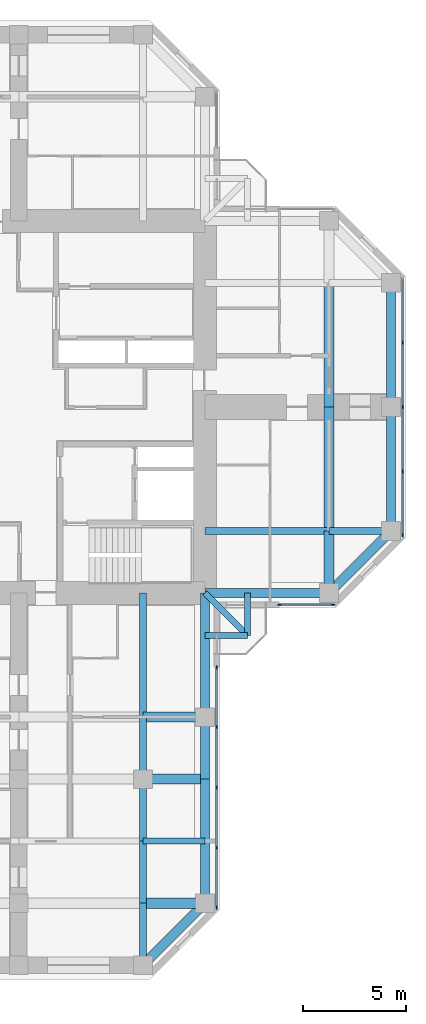
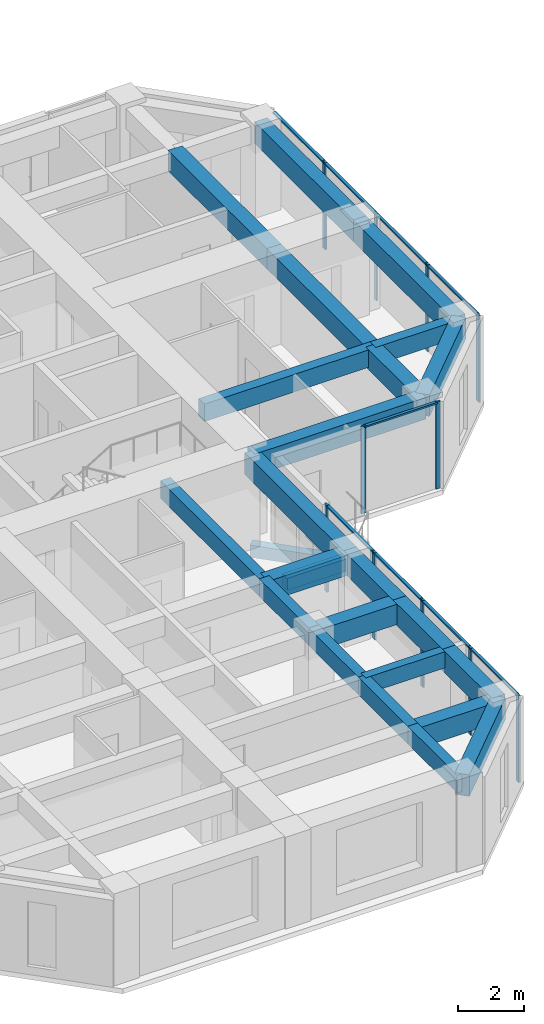
# One storey, part 4 of 14: 26 beams, 20 members, 3 elements without a shape of their own.
"""IFC4 building model written with IfcOpenShell, lengths in metres."""

from ifc_helpers import new_model, si_unit, direction, frame, origin, origin_2d, place, context, subcontext, project, spatial, rectangle, extrude, material, material_profile, profile_set, type_object, element, aggregate, save


model = new_model("IFC4")

# Units and contexts
model_context = context("Model", 3, precision=1e-05, world=origin(), true_north=direction((0.0, 1.0)))
body_context = subcontext(model_context, "Body", "Model", "MODEL_VIEW")
ifc_project = project(units=[si_unit("LENGTHUNIT", "METRE"), si_unit("AREAUNIT", "SQUARE_METRE"), si_unit("VOLUMEUNIT", "CUBIC_METRE"), si_unit("PLANEANGLEUNIT", "RADIAN"), si_unit("MASSUNIT", "GRAM", prefix="KILO")], contexts=[model_context])

# Site, building, storey
site_placement = place(None, origin())
site = spatial("IfcSite", under=ifc_project, at=site_placement, CompositionType="ELEMENT")
building_placement = place(site_placement, origin())
building = spatial("IfcBuilding", under=site, at=building_placement, Name="Torre Cruceta", CompositionType="ELEMENT")
storey_placement = place(building_placement, frame((0.0, 0.0, 186.5)))
storey = spatial("IfcBuildingStorey", under=building, at=storey_placement, Name="L46", CompositionType="ELEMENT", Elevation=186.5)

# Beams
ifc_material_1 = material(Name="Concrete G60 (fck 60 MPa)", Category="concrete")
ifc_material_profile_1 = material_profile(ifc_material_1, rectangle(XDim=0.300048828125, YDim=0.449951171875, at=origin_2d()), Name="RC 300X450")
ifc_profile_set_1 = profile_set([ifc_material_profile_1], Name="Concrete G60 (fck 60 MPa)")
beam_type_1 = type_object("IfcBeamType", Name="BALCONY CANTILEVER BEAM RC 300X450", PredefinedType="BEAM", material=ifc_profile_set_1)
beam_1_placement = place(storey_placement, frame((9.0, -9.0, -0.405029296875), z_axis=(0.707106781187, -0.707106781187, 0.0), x_axis=(0.707106781187, 0.707106781187, 0.0)))
element("IfcBeam", 1, at=beam_1_placement, inside=storey, type_object=beam_type_1, Name="BB1 balcony beam L46 S", PredefinedType="BEAM", context=body_context, shape_type="SweptSolid", body=[
    extrude(rectangle(XDim=0.300048828125, YDim=0.449951171875, at=origin_2d()), origin(), (0.0, 0.0, 1.0), 2.89990234375),
])
for number, where, z_axis, x_axis, name in (
    (2, (11.050537109375, -9.0, -0.405029296875), (0.0, -1.0, 0.0), (1.0, 0.0, 0.0), "BB1 balcony edge beam L46 S-X"),
    (3, (9.0, -11.050537109375, -0.405029296875), (1.0, 0.0, 0.0), (0.0, 1.0, 0.0), "BB1 balcony edge beam L46 S-Y"),
):
    element("IfcBeam", number, at=place(storey_placement, frame(where, z_axis=z_axis, x_axis=x_axis)), inside=storey, type_object=beam_type_1, Name=name, PredefinedType="BEAM", context=body_context, shape_type="SweptSolid", body=[
        extrude(rectangle(XDim=0.300048828125, YDim=0.449951171875, at=origin_2d()), origin(), (0.0, 0.0, 1.0), 2.050537109375),
    ])
ifc_material_2 = material(Name="Concrete G60 (fck 60 MPa)", Category="concrete")
ifc_material_profile_2 = material_profile(ifc_material_2, rectangle(XDim=0.35009765625, YDim=0.64990234375, at=origin_2d()), Name="RC 350X650")
ifc_profile_set_2 = profile_set([ifc_material_profile_2], Name="Concrete G60 (fck 60 MPa)")
beam_type_2 = type_object("IfcBeamType", Name="COLUMN LINE BEAM RC 350X650", PredefinedType="BEAM", material=ifc_profile_set_2)
beam_2_placement = place(storey_placement, frame((9.0, -6.0, 2.89501953125), z_axis=(1.0, 0.0, 0.0), x_axis=(0.0, 1.0, 0.0)))
element("IfcBeam", 4, at=beam_2_placement, inside=storey, type_object=beam_type_2, Name="LB7 L46 E col- 1", PredefinedType="BEAM", context=body_context, shape_type="SweptSolid", body=[
    extrude(rectangle(XDim=0.35009765625, YDim=0.64990234375, at=origin_2d()), origin(), (0.0, 0.0, 1.0), 6.0),
])
beam_3_placement = place(storey_placement, frame((15.0, -6.0, 2.89501953125), z_axis=(1.0, 0.0, 0.0), x_axis=(0.0, 1.0, 0.0)))
element("IfcBeam", 5, at=beam_3_placement, inside=storey, type_object=beam_type_2, Name="LB7 L46 E col- 2", PredefinedType="BEAM", context=body_context, shape_type="SweptSolid", body=[
    extrude(rectangle(XDim=0.35009765625, YDim=0.64990234375, at=origin_2d()), origin(), (0.0, 0.0, 1.0), 3.0),
])
beam_4_placement = place(storey_placement, frame((6.0, -9.0, 2.89501953125), z_axis=(0.0, -1.0, 0.0), x_axis=(1.0, 0.0, 0.0)))
element("IfcBeam", 6, at=beam_4_placement, inside=storey, type_object=beam_type_2, Name="LB7 L46 S col+ 1", PredefinedType="BEAM", context=body_context, shape_type="SweptSolid", body=[
    extrude(rectangle(XDim=0.35009765625, YDim=0.64990234375, at=origin_2d()), origin(), (0.0, 0.0, 1.0), 6.0),
])
for number, where, z_axis, x_axis, name in (
    (7, (6.0, -15.0, 2.89501953125), (0.0, -1.0, 0.0), (1.0, 0.0, 0.0), "LB7 L46 S col+ 2"),
    (8, (6.0, -18.0, 2.89501953125), (0.0, -1.0, 0.0), (1.0, 0.0, 0.0), "LB7 L46 S col+ 3"),
    (9, (6.0, -21.0, 2.89501953125), (0.0, -1.0, 0.0), (1.0, 0.0, 0.0), "LB7 L46 S col+ 4"),
    (10, (6.0, -24.0, 2.89501953125), (0.0, -1.0, 0.0), (1.0, 0.0, 0.0), "LB7 L46 S col+ 5"),
):
    element("IfcBeam", number, at=place(storey_placement, frame(where, z_axis=z_axis, x_axis=x_axis)), inside=storey, type_object=beam_type_2, Name=name, PredefinedType="BEAM", context=body_context, shape_type="SweptSolid", body=[
        extrude(rectangle(XDim=0.35009765625, YDim=0.64990234375, at=origin_2d()), origin(), (0.0, 0.0, 1.0), 3.0),
    ])
ifc_material_3 = material(Name="Concrete G60 (fck 60 MPa)", Category="concrete")
ifc_material_profile_3 = material_profile(ifc_material_3, rectangle(XDim=0.5, YDim=0.75, at=origin_2d()), Name="RC 500X750")
ifc_profile_set_3 = profile_set([ifc_material_profile_3], Name="Concrete G60 (fck 60 MPa)")
beam_type_3 = type_object("IfcBeamType", Name="CROSS BEAM RC 500X750", PredefinedType="BEAM", material=ifc_profile_set_3)
beam_5_placement = place(storey_placement, frame((15.0, -9.0, 2.844970703125), z_axis=(0.0, 1.0, 0.0), x_axis=(-1.0, 0.0, 0.0)))
element("IfcBeam", 11, at=beam_5_placement, inside=storey, type_object=beam_type_3, Name="GB6 L46 E cross15 1", PredefinedType="BEAM", context=body_context, shape_type="SweptSolid", body=[
    extrude(rectangle(XDim=0.5, YDim=0.75, at=origin_2d()), origin(), (0.0, 0.0, 1.0), 3.0),
])
for number, where, z_axis, x_axis, name in (
    (12, (15.0, -6.0, 2.844970703125), (0.0, 1.0, 0.0), (-1.0, 0.0, 0.0), "GB6 L46 E cross15 2"),
    (13, (15.0, 0.0, 2.844970703125), (0.0, 1.0, 0.0), (-1.0, 0.0, 0.0), "GB6 L46 E cross15 3"),
):
    element("IfcBeam", number, at=place(storey_placement, frame(where, z_axis=z_axis, x_axis=x_axis)), inside=storey, type_object=beam_type_3, Name=name, PredefinedType="BEAM", context=body_context, shape_type="SweptSolid", body=[
        extrude(rectangle(XDim=0.5, YDim=0.75, at=origin_2d()), origin(), (0.0, 0.0, 1.0), 6.0),
    ])
for number, where, z_axis, x_axis, name in (
    (14, (6.0, -15.0, 2.844970703125), (1.0, 0.0, 0.0), (0.0, 1.0, 0.0), "GB6 L46 S cross15 4"),
    (15, (6.0, -18.0, 2.844970703125), (1.0, 0.0, 0.0), (0.0, 1.0, 0.0), "GB6 L46 S cross18 4"),
    (16, (6.0, -24.0, 2.844970703125), (1.0, 0.0, 0.0), (0.0, 1.0, 0.0), "GB6 L46 S cross24 4"),
):
    element("IfcBeam", number, at=place(storey_placement, frame(where, z_axis=z_axis, x_axis=x_axis)), inside=storey, type_object=beam_type_3, Name=name, PredefinedType="BEAM", context=body_context, shape_type="SweptSolid", body=[
        extrude(rectangle(XDim=0.5, YDim=0.75, at=origin_2d()), origin(), (0.0, 0.0, 1.0), 3.0),
    ])

# Curtain wall, members
ifc_material_4 = material(Name="Aluminium unitised curtain wall", Category="aluminium")
curtain_wall_type = type_object("IfcCurtainWallType", Name="CURTAIN WALL CW-C CO-LIVING", PredefinedType="USERDEFINED", material=ifc_material_4)
curtain_wall_1_placement = place(storey_placement, origin())
curtain_wall_1 = element("IfcCurtainWall", 17, at=curtain_wall_1_placement, inside=storey, type_object=curtain_wall_type, Name="CW-C L46 E side 00", ObjectType="UNITISED", PredefinedType="USERDEFINED")
ifc_material_5 = material(Name="Aluminium mullion", Category="aluminium")
ifc_material_profile_4 = material_profile(ifc_material_5, rectangle(XDim=0.06005859375, YDim=0.159912109375, at=origin_2d()), Name="AL 60X160")
ifc_profile_set_4 = profile_set([ifc_material_profile_4], Name="Aluminium mullion")
member_type_1 = type_object("IfcMemberType", Name="CW-C MULLION 60X160", PredefinedType="MULLION", material=ifc_profile_set_4)
member_1_placement = place(storey_placement, frame((12.60009765625, -9.570068359375, 0.0), z_axis=(0.0, 0.0, 1.0), x_axis=(0.0, 1.0, 0.0)))
member_1 = element("IfcMember", 18, at=member_1_placement, type_object=member_type_1, Name="CW-C mullion 1", PredefinedType="MULLION", context=body_context, shape_type="SweptSolid", body=[
    extrude(rectangle(XDim=0.06005859375, YDim=0.159912109375, at=origin_2d()), origin(), (0.0, 0.0, 1.0), 3.219970703125),
])
member_2_placement = place(storey_placement, frame((15.2060546875, -9.570068359375, 0.0), z_axis=(0.0, 0.0, 1.0), x_axis=(0.0, 1.0, 0.0)))
member_2 = element("IfcMember", 19, at=member_2_placement, type_object=member_type_1, Name="CW-C mullion 2", PredefinedType="MULLION", context=body_context, shape_type="SweptSolid", body=[
    extrude(rectangle(XDim=0.06005859375, YDim=0.159912109375, at=origin_2d()), origin(), (0.0, 0.0, 1.0), 3.219970703125),
])

curtain_wall_2_placement = place(storey_placement, origin())
curtain_wall_2 = element("IfcCurtainWall", 20, at=curtain_wall_2_placement, inside=storey, type_object=curtain_wall_type, Name="CW-C L46 E tip 02", ObjectType="UNITISED", PredefinedType="USERDEFINED")
member_3_placement = place(storey_placement, frame((18.570068359375, -6.2060546875, 0.0), z_axis=(0.0, 0.0, 1.0), x_axis=(-1.0, 0.0, 0.0)))
member_3 = element("IfcMember", 21, at=member_3_placement, type_object=member_type_1, Name="CW-C mullion 1", PredefinedType="MULLION", context=body_context, shape_type="SweptSolid", body=[
    extrude(rectangle(XDim=0.06005859375, YDim=0.159912109375, at=origin_2d()), origin(), (0.0, 0.0, 1.0), 3.219970703125),
])
member_4_placement = place(storey_placement, frame((18.570068359375, -3.1181640625, 0.0), z_axis=(0.0, 0.0, 1.0), x_axis=(-1.0, 0.0, 0.0)))
member_4 = element("IfcMember", 22, at=member_4_placement, type_object=member_type_1, Name="CW-C mullion 2", PredefinedType="MULLION", context=body_context, shape_type="SweptSolid", body=[
    extrude(rectangle(XDim=0.06005859375, YDim=0.159912109375, at=origin_2d()), origin(), (0.0, 0.0, 1.0), 3.219970703125),
])
member_5_placement = place(storey_placement, frame((18.570068359375, 0.0, 0.0), z_axis=(0.0, 0.0, 1.0), x_axis=(-1.0, 0.0, 0.0)))
member_5 = element("IfcMember", 23, at=member_5_placement, type_object=member_type_1, Name="CW-C mullion 3", PredefinedType="MULLION", context=body_context, shape_type="SweptSolid", body=[
    extrude(rectangle(XDim=0.06005859375, YDim=0.159912109375, at=origin_2d()), origin(), (0.0, 0.0, 1.0), 3.219970703125),
])
member_6_placement = place(storey_placement, frame((18.570068359375, 3.1181640625, 0.0), z_axis=(0.0, 0.0, 1.0), x_axis=(-1.0, 0.0, 0.0)))
member_6 = element("IfcMember", 24, at=member_6_placement, type_object=member_type_1, Name="CW-C mullion 4", PredefinedType="MULLION", context=body_context, shape_type="SweptSolid", body=[
    extrude(rectangle(XDim=0.06005859375, YDim=0.159912109375, at=origin_2d()), origin(), (0.0, 0.0, 1.0), 3.219970703125),
])

curtain_wall_3_placement = place(storey_placement, origin())
curtain_wall_3 = element("IfcCurtainWall", 25, at=curtain_wall_3_placement, inside=storey, type_object=curtain_wall_type, Name="CW-C L46 S side 19", ObjectType="UNITISED", PredefinedType="USERDEFINED")
member_7_placement = place(storey_placement, frame((9.570068359375, -24.2060546875, 0.0), z_axis=(0.0, 0.0, 1.0), x_axis=(-1.0, 0.0, 0.0)))
member_7 = element("IfcMember", 26, at=member_7_placement, type_object=member_type_1, Name="CW-C mullion 1", PredefinedType="MULLION", context=body_context, shape_type="SweptSolid", body=[
    extrude(rectangle(XDim=0.06005859375, YDim=0.159912109375, at=origin_2d()), origin(), (0.0, 0.0, 1.0), 3.219970703125),
])
member_8_placement = place(storey_placement, frame((9.570068359375, -21.319580078125, 0.0), z_axis=(0.0, 0.0, 1.0), x_axis=(-1.0, 0.0, 0.0)))
member_8 = element("IfcMember", 27, at=member_8_placement, type_object=member_type_1, Name="CW-C mullion 2", PredefinedType="MULLION", context=body_context, shape_type="SweptSolid", body=[
    extrude(rectangle(XDim=0.06005859375, YDim=0.159912109375, at=origin_2d()), origin(), (0.0, 0.0, 1.0), 3.219970703125),
])
member_9_placement = place(storey_placement, frame((9.570068359375, -18.403076171875, 0.0), z_axis=(0.0, 0.0, 1.0), x_axis=(-1.0, 0.0, 0.0)))
member_9 = element("IfcMember", 28, at=member_9_placement, type_object=member_type_1, Name="CW-C mullion 3", PredefinedType="MULLION", context=body_context, shape_type="SweptSolid", body=[
    extrude(rectangle(XDim=0.06005859375, YDim=0.159912109375, at=origin_2d()), origin(), (0.0, 0.0, 1.0), 3.219970703125),
])
member_10_placement = place(storey_placement, frame((9.570068359375, -15.486572265625, 0.0), z_axis=(0.0, 0.0, 1.0), x_axis=(-1.0, 0.0, 0.0)))
member_10 = element("IfcMember", 29, at=member_10_placement, type_object=member_type_1, Name="CW-C mullion 4", PredefinedType="MULLION", context=body_context, shape_type="SweptSolid", body=[
    extrude(rectangle(XDim=0.06005859375, YDim=0.159912109375, at=origin_2d()), origin(), (0.0, 0.0, 1.0), 3.219970703125),
])
member_11_placement = place(storey_placement, frame((9.570068359375, -12.60009765625, 0.0), z_axis=(0.0, 0.0, 1.0), x_axis=(-1.0, 0.0, 0.0)))
member_11 = element("IfcMember", 30, at=member_11_placement, type_object=member_type_1, Name="CW-C mullion 5", PredefinedType="MULLION", context=body_context, shape_type="SweptSolid", body=[
    extrude(rectangle(XDim=0.06005859375, YDim=0.159912109375, at=origin_2d()), origin(), (0.0, 0.0, 1.0), 3.219970703125),
])

# Member
ifc_material_6 = material(Name="Aluminium transom", Category="aluminium")
ifc_material_profile_5 = material_profile(ifc_material_6, rectangle(XDim=0.10009765625, YDim=0.06005859375, at=origin_2d()), Name="AL 100X60")
ifc_profile_set_5 = profile_set([ifc_material_profile_5], Name="Aluminium transom")
member_type_2 = type_object("IfcMemberType", Name="CW-C TRANSOM 60X100", PredefinedType="USERDEFINED", material=ifc_profile_set_5)
member_12_placement = place(storey_placement, frame((12.6298828125, -9.570068359375, 3.18994140625), z_axis=(1.0, 0.0, 0.0), x_axis=(0.0, 1.0, 0.0)))
member_12 = element("IfcMember", 31, at=member_12_placement, type_object=member_type_2, Name="CW-C transom 1", ObjectType="TRANSOM", PredefinedType="USERDEFINED", context=body_context, shape_type="SweptSolid", body=[
    extrude(rectangle(XDim=0.10009765625, YDim=0.06005859375, at=origin_2d()), origin(), (0.0, 0.0, 1.0), 2.546142578125),
])

aggregate(curtain_wall_1, [member_1, member_2, member_12])

member_13_placement = place(storey_placement, frame((18.570068359375, -6.176025390625, 3.18994140625), z_axis=(0.0, 1.0, 0.0), x_axis=(-1.0, 0.0, 0.0)))
member_13 = element("IfcMember", 32, at=member_13_placement, type_object=member_type_2, Name="CW-C transom 1", ObjectType="TRANSOM", PredefinedType="USERDEFINED", context=body_context, shape_type="SweptSolid", body=[
    extrude(rectangle(XDim=0.10009765625, YDim=0.06005859375, at=origin_2d()), origin(), (0.0, 0.0, 1.0), 3.028076171875),
])

member_14_placement = place(storey_placement, frame((18.570068359375, -3.088134765625, 3.18994140625), z_axis=(0.0, 1.0, 0.0), x_axis=(-1.0, 0.0, 0.0)))
member_14 = element("IfcMember", 33, at=member_14_placement, type_object=member_type_2, Name="CW-C transom 2", ObjectType="TRANSOM", PredefinedType="USERDEFINED", context=body_context, shape_type="SweptSolid", body=[
    extrude(rectangle(XDim=0.10009765625, YDim=0.06005859375, at=origin_2d()), origin(), (0.0, 0.0, 1.0), 3.05810546875),
])

member_15_placement = place(storey_placement, frame((18.570068359375, 0.030029296875, 3.18994140625), z_axis=(0.0, 1.0, 0.0), x_axis=(-1.0, 0.0, 0.0)))
member_15 = element("IfcMember", 34, at=member_15_placement, type_object=member_type_2, Name="CW-C transom 3", ObjectType="TRANSOM", PredefinedType="USERDEFINED", context=body_context, shape_type="SweptSolid", body=[
    extrude(rectangle(XDim=0.10009765625, YDim=0.06005859375, at=origin_2d()), origin(), (0.0, 0.0, 1.0), 3.05810546875),
])

member_16_placement = place(storey_placement, frame((18.570068359375, 3.14794921875, 3.18994140625), z_axis=(0.0, 1.0, 0.0), x_axis=(-1.0, 0.0, 0.0)))
member_16 = element("IfcMember", 35, at=member_16_placement, type_object=member_type_2, Name="CW-C transom 4", ObjectType="TRANSOM", PredefinedType="USERDEFINED", context=body_context, shape_type="SweptSolid", body=[
    extrude(rectangle(XDim=0.10009765625, YDim=0.06005859375, at=origin_2d()), origin(), (0.0, 0.0, 1.0), 3.028076171875),
])

aggregate(curtain_wall_2, [member_3, member_4, member_5, member_6, member_13, member_14, member_15, member_16])

member_17_placement = place(storey_placement, frame((9.570068359375, -24.176025390625, 3.18994140625), z_axis=(0.0, 1.0, 0.0), x_axis=(-1.0, 0.0, 0.0)))
member_17 = element("IfcMember", 36, at=member_17_placement, type_object=member_type_2, Name="CW-C transom 1", ObjectType="TRANSOM", PredefinedType="USERDEFINED", context=body_context, shape_type="SweptSolid", body=[
    extrude(rectangle(XDim=0.10009765625, YDim=0.06005859375, at=origin_2d()), origin(), (0.0, 0.0, 1.0), 2.826416015625),
])

member_18_placement = place(storey_placement, frame((9.570068359375, -21.28955078125, 3.18994140625), z_axis=(0.0, 1.0, 0.0), x_axis=(-1.0, 0.0, 0.0)))
member_18 = element("IfcMember", 37, at=member_18_placement, type_object=member_type_2, Name="CW-C transom 2", ObjectType="TRANSOM", PredefinedType="USERDEFINED", context=body_context, shape_type="SweptSolid", body=[
    extrude(rectangle(XDim=0.10009765625, YDim=0.06005859375, at=origin_2d()), origin(), (0.0, 0.0, 1.0), 2.8564453125),
])

member_19_placement = place(storey_placement, frame((9.570068359375, -18.373046875, 3.18994140625), z_axis=(0.0, 1.0, 0.0), x_axis=(-1.0, 0.0, 0.0)))
member_19 = element("IfcMember", 38, at=member_19_placement, type_object=member_type_2, Name="CW-C transom 3", ObjectType="TRANSOM", PredefinedType="USERDEFINED", context=body_context, shape_type="SweptSolid", body=[
    extrude(rectangle(XDim=0.10009765625, YDim=0.06005859375, at=origin_2d()), origin(), (0.0, 0.0, 1.0), 2.8564453125),
])

member_20_placement = place(storey_placement, frame((9.570068359375, -15.45654296875, 3.18994140625), z_axis=(0.0, 1.0, 0.0), x_axis=(-1.0, 0.0, 0.0)))
member_20 = element("IfcMember", 39, at=member_20_placement, type_object=member_type_2, Name="CW-C transom 4", ObjectType="TRANSOM", PredefinedType="USERDEFINED", context=body_context, shape_type="SweptSolid", body=[
    extrude(rectangle(XDim=0.10009765625, YDim=0.06005859375, at=origin_2d()), origin(), (0.0, 0.0, 1.0), 2.82666015625),
])

aggregate(curtain_wall_3, [member_7, member_8, member_9, member_10, member_11, member_17, member_18, member_19, member_20])

# Beams
ifc_material_7 = material(Name="Concrete G60 (fck 60 MPa)", Category="concrete")
ifc_material_profile_6 = material_profile(ifc_material_7, rectangle(XDim=0.300048828125, YDim=0.60009765625, at=origin_2d()), Name="RC 300X600")
ifc_profile_set_6 = profile_set([ifc_material_profile_6], Name="Concrete G60 (fck 60 MPa)")
beam_type_4 = type_object("IfcBeamType", Name="SECONDARY BEAM RC 300X600", PredefinedType="JOIST", material=ifc_profile_set_6)
beam_6_placement = place(storey_placement, frame((6.0, -21.0, 2.919921875), z_axis=(1.0, 0.0, 0.0), x_axis=(0.0, 1.0, 0.0)))
element("IfcBeam", 40, at=beam_6_placement, inside=storey, type_object=beam_type_4, Name="JB6 L46 S sec21 4", PredefinedType="JOIST", context=body_context, shape_type="SweptSolid", body=[
    extrude(rectangle(XDim=0.300048828125, YDim=0.60009765625, at=origin_2d()), origin(), (0.0, 0.0, 1.0), 3.0),
])
ifc_material_8 = material(Name="Concrete G60 (fck 60 MPa)", Category="concrete")
ifc_material_profile_7 = material_profile(ifc_material_8, rectangle(XDim=0.449951171875, YDim=0.800048828125, at=origin_2d()), Name="RC 450X800")
ifc_profile_set_7 = profile_set([ifc_material_profile_7], Name="Concrete G60 (fck 60 MPa)")
beam_type_5 = type_object("IfcBeamType", Name="SPANDREL BEAM RC 450X800", PredefinedType="SPANDREL", material=ifc_profile_set_7)
beam_7_placement = place(storey_placement, frame((9.0, -9.0, 2.820068359375), z_axis=(1.0, 0.0, 0.0), x_axis=(0.0, 1.0, 0.0)))
element("IfcBeam", 41, at=beam_7_placement, inside=storey, type_object=beam_type_5, Name="SB6 L46 E side- 1", PredefinedType="SPANDREL", context=body_context, shape_type="SweptSolid", body=[
    extrude(rectangle(XDim=0.449951171875, YDim=0.800048828125, at=origin_2d()), origin(), (0.0, 0.0, 1.0), 6.0),
])
beam_8_placement = place(storey_placement, frame((15.0, -9.0, 2.820068359375), z_axis=(0.707106781187, 0.707106781187, 0.0), x_axis=(-0.707106781187, 0.707106781187, 0.0)))
element("IfcBeam", 42, at=beam_8_placement, inside=storey, type_object=beam_type_5, Name="SB6 L46 E side- 2", PredefinedType="SPANDREL", context=body_context, shape_type="SweptSolid", body=[
    extrude(rectangle(XDim=0.449951171875, YDim=0.800048828125, at=origin_2d()), origin(), (0.0, 0.0, 1.0), 4.24267578125),
])
for number, where, z_axis, x_axis, name in (
    (43, (18.0, -6.0, 2.820068359375), (0.0, 1.0, 0.0), (-1.0, 0.0, 0.0), "SB6 L46 E tip 1"),
    (44, (18.0, 0.0, 2.820068359375), (0.0, 1.0, 0.0), (-1.0, 0.0, 0.0), "SB6 L46 E tip 2"),
    (45, (9.0, -9.0, 2.820068359375), (0.0, -1.0, 0.0), (1.0, 0.0, 0.0), "SB6 L46 S side+ 1"),
):
    element("IfcBeam", number, at=place(storey_placement, frame(where, z_axis=z_axis, x_axis=x_axis)), inside=storey, type_object=beam_type_5, Name=name, PredefinedType="SPANDREL", context=body_context, shape_type="SweptSolid", body=[
        extrude(rectangle(XDim=0.449951171875, YDim=0.800048828125, at=origin_2d()), origin(), (0.0, 0.0, 1.0), 6.0),
    ])
for number, where, z_axis, x_axis, name in (
    (46, (9.0, -15.0, 2.820068359375), (0.0, -1.0, 0.0), (1.0, 0.0, 0.0), "SB6 L46 S side+ 2"),
    (47, (9.0, -18.0, 2.820068359375), (0.0, -1.0, 0.0), (1.0, 0.0, 0.0), "SB6 L46 S side+ 3"),
    (48, (9.0, -21.0, 2.820068359375), (0.0, -1.0, 0.0), (1.0, 0.0, 0.0), "SB6 L46 S side+ 4"),
):
    element("IfcBeam", number, at=place(storey_placement, frame(where, z_axis=z_axis, x_axis=x_axis)), inside=storey, type_object=beam_type_5, Name=name, PredefinedType="SPANDREL", context=body_context, shape_type="SweptSolid", body=[
        extrude(rectangle(XDim=0.449951171875, YDim=0.800048828125, at=origin_2d()), origin(), (0.0, 0.0, 1.0), 3.0),
    ])
beam_9_placement = place(storey_placement, frame((9.0, -24.0, 2.820068359375), z_axis=(-0.707106781187, -0.707106781187, 0.0), x_axis=(0.707106781187, -0.707106781187, 0.0)))
element("IfcBeam", 49, at=beam_9_placement, inside=storey, type_object=beam_type_5, Name="SB6 L46 S side+ 5", PredefinedType="SPANDREL", context=body_context, shape_type="SweptSolid", body=[
    extrude(rectangle(XDim=0.449951171875, YDim=0.800048828125, at=origin_2d()), origin(), (0.0, 0.0, 1.0), 4.24267578125),
])

save(model, "model.ifc")
